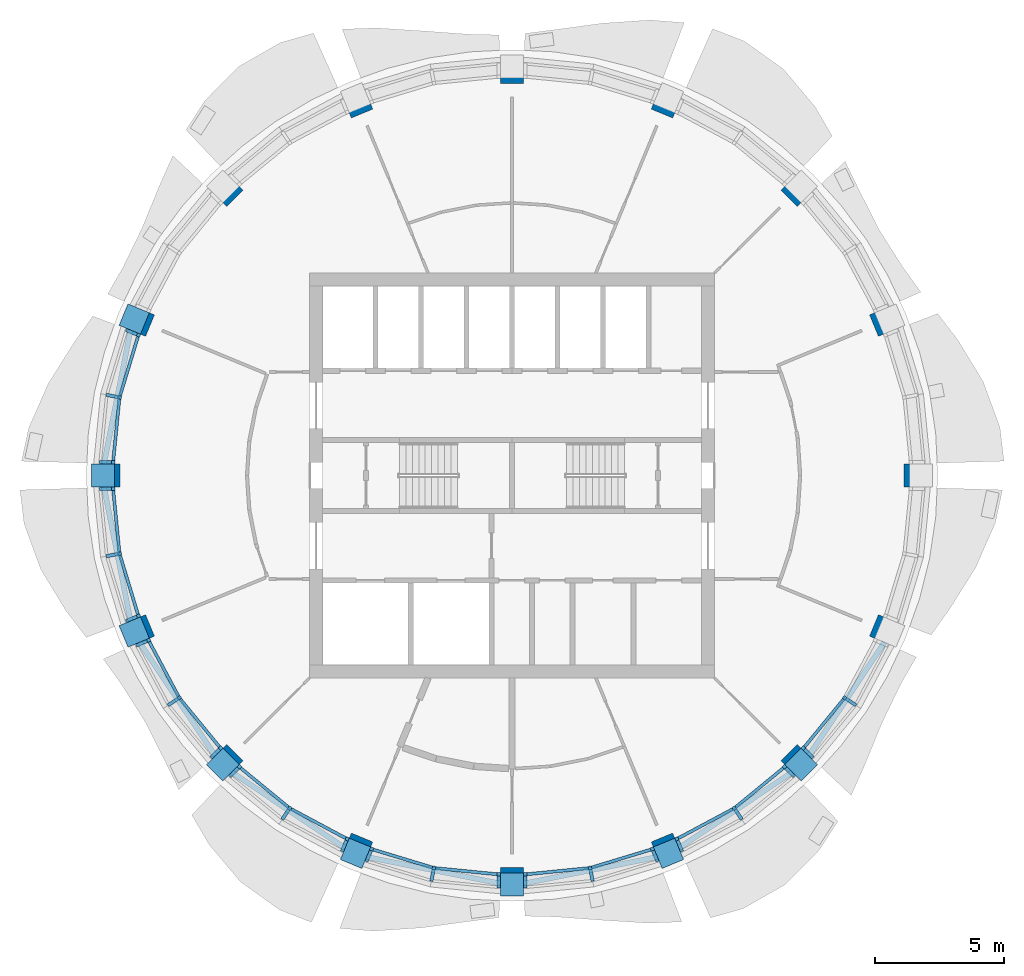
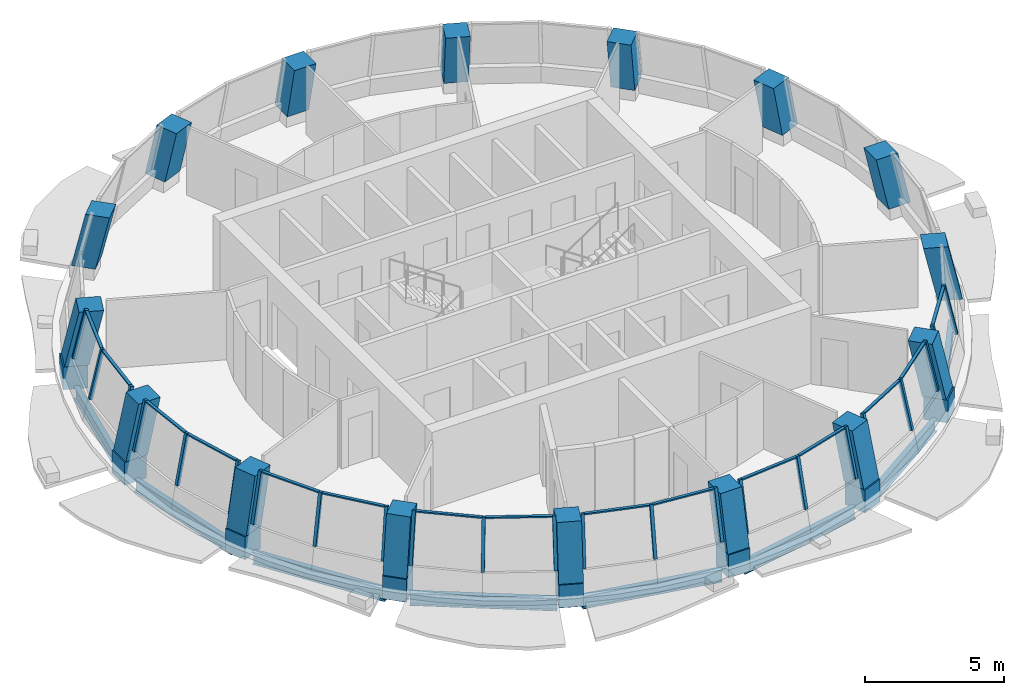
# One storey, part 1 of 11: 46 members, 16 columns, 8 beams, 8 elements without a shape of their own.
"""IFC4 building model written with IfcOpenShell, lengths in metres."""

from ifc_helpers import new_model, si_unit, direction, frame, origin, origin_2d, place, context, subcontext, project, spatial, rectangle, i_section, extrude, material, material_profile, profile_set, type_object, element, aggregate, save


model = new_model("IFC4")

# Units and contexts
model_context = context("Model", 3, precision=1e-05, world=origin(), true_north=direction((0.0, 1.0)))
body_context = subcontext(model_context, "Body", "Model", "MODEL_VIEW")
ifc_project = project(units=[si_unit("LENGTHUNIT", "METRE"), si_unit("AREAUNIT", "SQUARE_METRE"), si_unit("VOLUMEUNIT", "CUBIC_METRE"), si_unit("PLANEANGLEUNIT", "RADIAN"), si_unit("MASSUNIT", "GRAM", prefix="KILO")], contexts=[model_context])

# Site, building, storey
site_placement = place(None, origin())
site = spatial("IfcSite", under=ifc_project, at=site_placement, CompositionType="ELEMENT")
building_placement = place(site_placement, origin())
building = spatial("IfcBuilding", under=site, at=building_placement, Name="Polderwave Tower", CompositionType="ELEMENT")
storey_placement = place(building_placement, frame((0.0, 0.0, 214.449951171875)))
storey = spatial("IfcBuildingStorey", under=building, at=storey_placement, Name="L58", CompositionType="ELEMENT", Elevation=214.449951171875)

# Columns
ifc_material_1 = material(Name="Concrete C60/75", Category="concrete")
ifc_material_profile_1 = material_profile(ifc_material_1, rectangle(XDim=0.89990234375, YDim=0.89990234375, at=origin_2d()), Name="RC 900x900")
ifc_profile_set_1 = profile_set([ifc_material_profile_1], Name="Concrete C60/75")
column_type = type_object("IfcColumnType", Name="RC COLUMN 900x900 C60/75", PredefinedType="COLUMN", material=ifc_profile_set_1)
column_1_placement = place(storey_placement, frame((15.838134765625, 0.0, 0.5), z_axis=(0.0, 0.0, 1.0), x_axis=(0.0, -1.0, 0.0)))
element("IfcColumn", 1, at=column_1_placement, inside=storey, type_object=column_type, Name="Ring column 01", PredefinedType="COLUMN", context=body_context, shape_type="SweptSolid", body=[
    extrude(rectangle(XDim=0.89990234375, YDim=0.89990234375, at=origin_2d()), origin(), (0.0, -0.218465140573, 0.975844753203), 2.408203125),
])
column_2_placement = place(storey_placement, frame((14.632568359375, 6.06103515625, 0.5), z_axis=(0.0, 0.0, 1.0), x_axis=(0.382802560388, -0.92383017907, 0.0)))
element("IfcColumn", 2, at=column_2_placement, inside=storey, type_object=column_type, Name="Ring column 02", PredefinedType="COLUMN", context=body_context, shape_type="SweptSolid", body=[
    extrude(rectangle(XDim=0.89990234375, YDim=0.89990234375, at=origin_2d()), origin(), (0.0, -0.218480393317, 0.975841338403), 2.408203125),
])
column_3_placement = place(storey_placement, frame((11.19921875, 11.19921875, 0.5), z_axis=(0.0, 0.0, 1.0), x_axis=(0.707106781187, -0.707106781187, 0.0)))
element("IfcColumn", 3, at=column_3_placement, inside=storey, type_object=column_type, Name="Ring column 03", PredefinedType="COLUMN", context=body_context, shape_type="SweptSolid", body=[
    extrude(rectangle(XDim=0.89990234375, YDim=0.89990234375, at=origin_2d()), origin(), (0.0, -0.218490381939, 0.975839102004), 2.408203125),
])
column_4_placement = place(storey_placement, frame((6.06103515625, 14.632568359375, 0.5), z_axis=(0.0, 0.0, 1.0), x_axis=(0.92383017907, -0.382802560388, 0.0)))
element("IfcColumn", 4, at=column_4_placement, inside=storey, type_object=column_type, Name="Ring column 04", PredefinedType="COLUMN", context=body_context, shape_type="SweptSolid", body=[
    extrude(rectangle(XDim=0.89990234375, YDim=0.89990234375, at=origin_2d()), origin(), (0.0, -0.218480393317, 0.975841338403), 2.408203125),
])
column_5_placement = place(storey_placement, frame((0.0, 15.838134765625, 0.5), z_axis=(0.0, 0.0, 1.0), x_axis=(1.0, 0.0, 0.0)))
element("IfcColumn", 5, at=column_5_placement, inside=storey, type_object=column_type, Name="Ring column 05", PredefinedType="COLUMN", context=body_context, shape_type="SweptSolid", body=[
    extrude(rectangle(XDim=0.89990234375, YDim=0.89990234375, at=origin_2d()), origin(), (0.0, -0.218465140573, 0.975844753203), 2.408203125),
])
column_6_placement = place(storey_placement, frame((-6.06103515625, 14.632568359375, 0.5), z_axis=(0.0, 0.0, 1.0), x_axis=(0.92383017907, 0.382802560388, 0.0)))
element("IfcColumn", 6, at=column_6_placement, inside=storey, type_object=column_type, Name="Ring column 06", PredefinedType="COLUMN", context=body_context, shape_type="SweptSolid", body=[
    extrude(rectangle(XDim=0.89990234375, YDim=0.89990234375, at=origin_2d()), origin(), (0.0, -0.218480393317, 0.975841338403), 2.408203125),
])
column_7_placement = place(storey_placement, frame((-11.19921875, 11.19921875, 0.5), z_axis=(0.0, 0.0, 1.0), x_axis=(0.707106781187, 0.707106781187, 0.0)))
element("IfcColumn", 7, at=column_7_placement, inside=storey, type_object=column_type, Name="Ring column 07", PredefinedType="COLUMN", context=body_context, shape_type="SweptSolid", body=[
    extrude(rectangle(XDim=0.89990234375, YDim=0.89990234375, at=origin_2d()), origin(), (0.0, -0.218490381939, 0.975839102004), 2.408203125),
])
column_8_placement = place(storey_placement, frame((-14.632568359375, 6.06103515625, 0.5), z_axis=(0.0, 0.0, 1.0), x_axis=(0.382802560388, 0.92383017907, 0.0)))
element("IfcColumn", 8, at=column_8_placement, inside=storey, type_object=column_type, Name="Ring column 08", PredefinedType="COLUMN", context=body_context, shape_type="SweptSolid", body=[
    extrude(rectangle(XDim=0.89990234375, YDim=0.89990234375, at=origin_2d()), origin(), (0.0, -0.218480393317, 0.975841338403), 2.408203125),
])
column_9_placement = place(storey_placement, frame((-15.838134765625, 0.0, 0.5), z_axis=(0.0, 0.0, 1.0), x_axis=(0.0, 1.0, 0.0)))
element("IfcColumn", 9, at=column_9_placement, inside=storey, type_object=column_type, Name="Ring column 09", PredefinedType="COLUMN", context=body_context, shape_type="SweptSolid", body=[
    extrude(rectangle(XDim=0.89990234375, YDim=0.89990234375, at=origin_2d()), origin(), (0.0, -0.218465140573, 0.975844753203), 2.408203125),
])
column_10_placement = place(storey_placement, frame((-14.632568359375, -6.06103515625, 0.5), z_axis=(0.0, 0.0, 1.0), x_axis=(-0.382802560388, 0.92383017907, 0.0)))
element("IfcColumn", 10, at=column_10_placement, inside=storey, type_object=column_type, Name="Ring column 10", PredefinedType="COLUMN", context=body_context, shape_type="SweptSolid", body=[
    extrude(rectangle(XDim=0.89990234375, YDim=0.89990234375, at=origin_2d()), origin(), (0.0, -0.218480393317, 0.975841338403), 2.408203125),
])
column_11_placement = place(storey_placement, frame((-11.19921875, -11.19921875, 0.5), z_axis=(0.0, 0.0, 1.0), x_axis=(-0.707106781187, 0.707106781187, 0.0)))
element("IfcColumn", 11, at=column_11_placement, inside=storey, type_object=column_type, Name="Ring column 11", PredefinedType="COLUMN", context=body_context, shape_type="SweptSolid", body=[
    extrude(rectangle(XDim=0.89990234375, YDim=0.89990234375, at=origin_2d()), origin(), (0.0, -0.218490381939, 0.975839102004), 2.408203125),
])
column_12_placement = place(storey_placement, frame((-6.06103515625, -14.632568359375, 0.5), z_axis=(0.0, 0.0, 1.0), x_axis=(-0.92383017907, 0.382802560388, 0.0)))
element("IfcColumn", 12, at=column_12_placement, inside=storey, type_object=column_type, Name="Ring column 12", PredefinedType="COLUMN", context=body_context, shape_type="SweptSolid", body=[
    extrude(rectangle(XDim=0.89990234375, YDim=0.89990234375, at=origin_2d()), origin(), (0.0, -0.218480393317, 0.975841338403), 2.408203125),
])
column_13_placement = place(storey_placement, frame((0.0, -15.838134765625, 0.5), z_axis=(0.0, 0.0, 1.0), x_axis=(-1.0, 0.0, 0.0)))
element("IfcColumn", 13, at=column_13_placement, inside=storey, type_object=column_type, Name="Ring column 13", PredefinedType="COLUMN", context=body_context, shape_type="SweptSolid", body=[
    extrude(rectangle(XDim=0.89990234375, YDim=0.89990234375, at=origin_2d()), origin(), (0.0, -0.218465140573, 0.975844753203), 2.408203125),
])
column_14_placement = place(storey_placement, frame((6.06103515625, -14.632568359375, 0.5), z_axis=(0.0, 0.0, 1.0), x_axis=(-0.92383017907, -0.382802560388, 0.0)))
element("IfcColumn", 14, at=column_14_placement, inside=storey, type_object=column_type, Name="Ring column 14", PredefinedType="COLUMN", context=body_context, shape_type="SweptSolid", body=[
    extrude(rectangle(XDim=0.89990234375, YDim=0.89990234375, at=origin_2d()), origin(), (0.0, -0.218480393317, 0.975841338403), 2.408203125),
])
column_15_placement = place(storey_placement, frame((11.19921875, -11.19921875, 0.5), z_axis=(0.0, 0.0, 1.0), x_axis=(-0.707106781187, -0.707106781187, 0.0)))
element("IfcColumn", 15, at=column_15_placement, inside=storey, type_object=column_type, Name="Ring column 15", PredefinedType="COLUMN", context=body_context, shape_type="SweptSolid", body=[
    extrude(rectangle(XDim=0.89990234375, YDim=0.89990234375, at=origin_2d()), origin(), (0.0, -0.218490381939, 0.975839102004), 2.408203125),
])
column_16_placement = place(storey_placement, frame((14.632568359375, -6.06103515625, 0.5), z_axis=(0.0, 0.0, 1.0), x_axis=(-0.382802560388, -0.92383017907, 0.0)))
element("IfcColumn", 16, at=column_16_placement, inside=storey, type_object=column_type, Name="Ring column 16", PredefinedType="COLUMN", context=body_context, shape_type="SweptSolid", body=[
    extrude(rectangle(XDim=0.89990234375, YDim=0.89990234375, at=origin_2d()), origin(), (0.0, -0.218480393317, 0.975841338403), 2.408203125),
])

# Curtain wall, members
ifc_material_2 = material(Name="Aluminium 6063-T6 and glass", Category="aluminium")
curtain_wall_type = type_object("IfcCurtainWallType", Name="Office ribbon glazing, leaning storey wall", PredefinedType="NOTDEFINED", material=ifc_material_2)
curtain_wall_1_placement = place(storey_placement, origin())
curtain_wall_1 = element("IfcCurtainWall", 17, at=curtain_wall_1_placement, inside=storey, type_object=curtain_wall_type, Name="CW9 L58 07", PredefinedType="NOTDEFINED")
ifc_material_3 = material(Name="Aluminium 6063-T6", Category="aluminium")
ifc_material_profile_2 = material_profile(ifc_material_3, rectangle(XDim=0.1298828125, YDim=0.139892578125, at=origin_2d()), Name="AL 130x140")
ifc_profile_set_2 = profile_set([ifc_material_profile_2], Name="Aluminium 6063-T6")
member_type_1 = type_object("IfcMemberType", Name="Office ribbon glazing, leaning storey mullion 130x140", PredefinedType="MULLION", material=ifc_profile_set_2)
member_1_placement = place(storey_placement, frame((-14.9404296875, 5.631591796875, 0.900146484375), z_axis=(0.197075349133, -0.081783430188, 0.97697122645), x_axis=(0.383291989612, 0.923627224967, 0.0)))
member_1 = element("IfcMember", 18, at=member_1_placement, type_object=member_type_1, Name="CW9 mullion 1", PredefinedType="MULLION", context=body_context, shape_type="SweptSolid", body=[
    extrude(rectangle(XDim=0.1298828125, YDim=0.139892578125, at=origin_2d()), origin(), (0.0, 0.0, 1.0), 2.1494140625),
])
member_2_placement = place(storey_placement, frame((-15.701171875, 3.12353515625, 0.900146484375), z_axis=(0.20944780442, -0.041685110749, 0.976930892523), x_axis=(0.195195508177, 0.980764351711, 0.0)))
member_2 = element("IfcMember", 19, at=member_2_placement, type_object=member_type_1, Name="CW9 mullion 2", PredefinedType="MULLION", context=body_context, shape_type="SweptSolid", body=[
    extrude(rectangle(XDim=0.1298828125, YDim=0.139892578125, at=origin_2d()), origin(), (0.0, 0.0, 1.0), 2.1494140625),
])
member_3_placement = place(storey_placement, frame((-15.9580078125, 0.5146484375, 0.900146484375), z_axis=(0.213320842981, 0.0, 0.976982199403), x_axis=(0.0, 1.0, 0.0)))
member_3 = element("IfcMember", 20, at=member_3_placement, type_object=member_type_1, Name="CW9 mullion 3", PredefinedType="MULLION", context=body_context, shape_type="SweptSolid", body=[
    extrude(rectangle(XDim=0.1298828125, YDim=0.139892578125, at=origin_2d()), origin(), (0.0, 0.0, 1.0), 2.1494140625),
])

curtain_wall_2_placement = place(storey_placement, origin())
curtain_wall_2 = element("IfcCurtainWall", 21, at=curtain_wall_2_placement, inside=storey, type_object=curtain_wall_type, Name="CW9 L58 08", PredefinedType="NOTDEFINED")
member_4_placement = place(storey_placement, frame((-15.9580078125, -0.5146484375, 0.900146484375), z_axis=(0.213320842981, 0.0, 0.976982199403), x_axis=(0.0, 1.0, 0.0)))
member_4 = element("IfcMember", 22, at=member_4_placement, type_object=member_type_1, Name="CW9 mullion 1", PredefinedType="MULLION", context=body_context, shape_type="SweptSolid", body=[
    extrude(rectangle(XDim=0.1298828125, YDim=0.139892578125, at=origin_2d()), origin(), (0.0, 0.0, 1.0), 2.1494140625),
])
member_5_placement = place(storey_placement, frame((-15.701171875, -3.12353515625, 0.900146484375), z_axis=(0.20944780442, 0.041685110749, 0.976930892523), x_axis=(-0.195195508177, 0.980764351711, 0.0)))
member_5 = element("IfcMember", 23, at=member_5_placement, type_object=member_type_1, Name="CW9 mullion 2", PredefinedType="MULLION", context=body_context, shape_type="SweptSolid", body=[
    extrude(rectangle(XDim=0.1298828125, YDim=0.139892578125, at=origin_2d()), origin(), (0.0, 0.0, 1.0), 2.1494140625),
])
member_6_placement = place(storey_placement, frame((-14.9404296875, -5.631591796875, 0.900146484375), z_axis=(0.197075349133, 0.081783430188, 0.97697122645), x_axis=(-0.383291989612, 0.923627224967, 0.0)))
member_6 = element("IfcMember", 24, at=member_6_placement, type_object=member_type_1, Name="CW9 mullion 3", PredefinedType="MULLION", context=body_context, shape_type="SweptSolid", body=[
    extrude(rectangle(XDim=0.1298828125, YDim=0.139892578125, at=origin_2d()), origin(), (0.0, 0.0, 1.0), 2.1494140625),
])

curtain_wall_3_placement = place(storey_placement, origin())
curtain_wall_3 = element("IfcCurtainWall", 25, at=curtain_wall_3_placement, inside=storey, type_object=curtain_wall_type, Name="CW9 L58 09", PredefinedType="NOTDEFINED")
member_7_placement = place(storey_placement, frame((-14.54638671875, -6.582275390625, 0.900146484375), z_axis=(0.197299174068, 0.08144128256, 0.976954632215), x_axis=(-0.381552612163, 0.924347123191, 0.0)))
member_7 = element("IfcMember", 26, at=member_7_placement, type_object=member_type_1, Name="CW9 mullion 1", PredefinedType="MULLION", context=body_context, shape_type="SweptSolid", body=[
    extrude(rectangle(XDim=0.1298828125, YDim=0.139892578125, at=origin_2d()), origin(), (0.0, 0.0, 1.0), 2.1494140625),
])
member_8_placement = place(storey_placement, frame((-13.310546875, -8.893798828125, 0.900146484375), z_axis=(0.177533294592, 0.118582699651, 0.976944252583), x_axis=(-0.555436632186, 0.831558866002, 0.0)))
member_8 = element("IfcMember", 27, at=member_8_placement, type_object=member_type_1, Name="CW9 mullion 2", PredefinedType="MULLION", context=body_context, shape_type="SweptSolid", body=[
    extrude(rectangle(XDim=0.1298828125, YDim=0.139892578125, at=origin_2d()), origin(), (0.0, 0.0, 1.0), 2.1494140625),
])
member_9_placement = place(storey_placement, frame((-11.64794921875, -10.919921875, 0.900146484375), z_axis=(0.151068408866, 0.150841238326, 0.976946905754), x_axis=(-0.706574521886, 0.707638640142, 0.0)))
member_9 = element("IfcMember", 28, at=member_9_placement, type_object=member_type_1, Name="CW9 mullion 3", PredefinedType="MULLION", context=body_context, shape_type="SweptSolid", body=[
    extrude(rectangle(XDim=0.1298828125, YDim=0.139892578125, at=origin_2d()), origin(), (0.0, 0.0, 1.0), 2.1494140625),
])

curtain_wall_4_placement = place(storey_placement, origin())
curtain_wall_4 = element("IfcCurtainWall", 29, at=curtain_wall_4_placement, inside=storey, type_object=curtain_wall_type, Name="CW9 L58 10", PredefinedType="NOTDEFINED")
member_10_placement = place(storey_placement, frame((-10.919921875, -11.64794921875, 0.900146484375), z_axis=(0.150841238326, 0.151068408866, 0.976946905754), x_axis=(-0.707638640142, 0.706574521886, 0.0)))
member_10 = element("IfcMember", 30, at=member_10_placement, type_object=member_type_1, Name="CW9 mullion 1", PredefinedType="MULLION", context=body_context, shape_type="SweptSolid", body=[
    extrude(rectangle(XDim=0.1298828125, YDim=0.139892578125, at=origin_2d()), origin(), (0.0, 0.0, 1.0), 2.1494140625),
])
member_11_placement = place(storey_placement, frame((-8.893798828125, -13.310546875, 0.900146484375), z_axis=(0.118582699651, 0.177533294592, 0.976944252583), x_axis=(-0.831558866002, 0.555436632186, 0.0)))
member_11 = element("IfcMember", 31, at=member_11_placement, type_object=member_type_1, Name="CW9 mullion 2", PredefinedType="MULLION", context=body_context, shape_type="SweptSolid", body=[
    extrude(rectangle(XDim=0.1298828125, YDim=0.139892578125, at=origin_2d()), origin(), (0.0, 0.0, 1.0), 2.1494140625),
])
member_12_placement = place(storey_placement, frame((-6.582275390625, -14.54638671875, 0.900146484375), z_axis=(0.08144128256, 0.197299174068, 0.976954632215), x_axis=(-0.924347123191, 0.381552612163, 0.0)))
member_12 = element("IfcMember", 32, at=member_12_placement, type_object=member_type_1, Name="CW9 mullion 3", PredefinedType="MULLION", context=body_context, shape_type="SweptSolid", body=[
    extrude(rectangle(XDim=0.1298828125, YDim=0.139892578125, at=origin_2d()), origin(), (0.0, 0.0, 1.0), 2.1494140625),
])

curtain_wall_5_placement = place(storey_placement, origin())
curtain_wall_5 = element("IfcCurtainWall", 33, at=curtain_wall_5_placement, inside=storey, type_object=curtain_wall_type, Name="CW9 L58 11", PredefinedType="NOTDEFINED")
member_13_placement = place(storey_placement, frame((-5.631591796875, -14.9404296875, 0.900146484375), z_axis=(0.081783430188, 0.197075349133, 0.97697122645), x_axis=(-0.923627224967, 0.383291989612, 0.0)))
member_13 = element("IfcMember", 34, at=member_13_placement, type_object=member_type_1, Name="CW9 mullion 1", PredefinedType="MULLION", context=body_context, shape_type="SweptSolid", body=[
    extrude(rectangle(XDim=0.1298828125, YDim=0.139892578125, at=origin_2d()), origin(), (0.0, 0.0, 1.0), 2.1494140625),
])
member_14_placement = place(storey_placement, frame((-3.12353515625, -15.701171875, 0.900146484375), z_axis=(0.041685110749, 0.20944780442, 0.976930892523), x_axis=(-0.980764351711, 0.195195508177, 0.0)))
member_14 = element("IfcMember", 35, at=member_14_placement, type_object=member_type_1, Name="CW9 mullion 2", PredefinedType="MULLION", context=body_context, shape_type="SweptSolid", body=[
    extrude(rectangle(XDim=0.1298828125, YDim=0.139892578125, at=origin_2d()), origin(), (0.0, 0.0, 1.0), 2.1494140625),
])
member_15_placement = place(storey_placement, frame((-0.5146484375, -15.9580078125, 0.900146484375), z_axis=(0.0, 0.213320842981, 0.976982199403), x_axis=(-1.0, 0.0, 0.0)))
member_15 = element("IfcMember", 36, at=member_15_placement, type_object=member_type_1, Name="CW9 mullion 3", PredefinedType="MULLION", context=body_context, shape_type="SweptSolid", body=[
    extrude(rectangle(XDim=0.1298828125, YDim=0.139892578125, at=origin_2d()), origin(), (0.0, 0.0, 1.0), 2.1494140625),
])

curtain_wall_6_placement = place(storey_placement, origin())
curtain_wall_6 = element("IfcCurtainWall", 37, at=curtain_wall_6_placement, inside=storey, type_object=curtain_wall_type, Name="CW9 L58 12", PredefinedType="NOTDEFINED")
member_16_placement = place(storey_placement, frame((0.5146484375, -15.9580078125, 0.900146484375), z_axis=(0.0, 0.213320842981, 0.976982199403), x_axis=(-1.0, 0.0, 0.0)))
member_16 = element("IfcMember", 38, at=member_16_placement, type_object=member_type_1, Name="CW9 mullion 1", PredefinedType="MULLION", context=body_context, shape_type="SweptSolid", body=[
    extrude(rectangle(XDim=0.1298828125, YDim=0.139892578125, at=origin_2d()), origin(), (0.0, 0.0, 1.0), 2.1494140625),
])
member_17_placement = place(storey_placement, frame((3.12353515625, -15.701171875, 0.900146484375), z_axis=(-0.041685110749, 0.20944780442, 0.976930892523), x_axis=(-0.980764351711, -0.195195508177, 0.0)))
member_17 = element("IfcMember", 39, at=member_17_placement, type_object=member_type_1, Name="CW9 mullion 2", PredefinedType="MULLION", context=body_context, shape_type="SweptSolid", body=[
    extrude(rectangle(XDim=0.1298828125, YDim=0.139892578125, at=origin_2d()), origin(), (0.0, 0.0, 1.0), 2.1494140625),
])
member_18_placement = place(storey_placement, frame((5.631591796875, -14.9404296875, 0.900146484375), z_axis=(-0.081783430188, 0.197075349133, 0.97697122645), x_axis=(-0.923627224967, -0.383291989612, 0.0)))
member_18 = element("IfcMember", 40, at=member_18_placement, type_object=member_type_1, Name="CW9 mullion 3", PredefinedType="MULLION", context=body_context, shape_type="SweptSolid", body=[
    extrude(rectangle(XDim=0.1298828125, YDim=0.139892578125, at=origin_2d()), origin(), (0.0, 0.0, 1.0), 2.1494140625),
])

curtain_wall_7_placement = place(storey_placement, origin())
curtain_wall_7 = element("IfcCurtainWall", 41, at=curtain_wall_7_placement, inside=storey, type_object=curtain_wall_type, Name="CW9 L58 13", PredefinedType="NOTDEFINED")
member_19_placement = place(storey_placement, frame((6.582275390625, -14.54638671875, 0.900146484375), z_axis=(-0.08144128256, 0.197299174068, 0.976954632215), x_axis=(-0.924347123191, -0.381552612163, 0.0)))
member_19 = element("IfcMember", 42, at=member_19_placement, type_object=member_type_1, Name="CW9 mullion 1", PredefinedType="MULLION", context=body_context, shape_type="SweptSolid", body=[
    extrude(rectangle(XDim=0.1298828125, YDim=0.139892578125, at=origin_2d()), origin(), (0.0, 0.0, 1.0), 2.1494140625),
])
member_20_placement = place(storey_placement, frame((8.893798828125, -13.310546875, 0.900146484375), z_axis=(-0.118582699651, 0.177533294592, 0.976944252583), x_axis=(-0.831558866002, -0.555436632186, 0.0)))
member_20 = element("IfcMember", 43, at=member_20_placement, type_object=member_type_1, Name="CW9 mullion 2", PredefinedType="MULLION", context=body_context, shape_type="SweptSolid", body=[
    extrude(rectangle(XDim=0.1298828125, YDim=0.139892578125, at=origin_2d()), origin(), (0.0, 0.0, 1.0), 2.1494140625),
])
member_21_placement = place(storey_placement, frame((10.919921875, -11.64794921875, 0.900146484375), z_axis=(-0.150841238326, 0.151068408866, 0.976946905754), x_axis=(-0.707638640142, -0.706574521886, 0.0)))
member_21 = element("IfcMember", 44, at=member_21_placement, type_object=member_type_1, Name="CW9 mullion 3", PredefinedType="MULLION", context=body_context, shape_type="SweptSolid", body=[
    extrude(rectangle(XDim=0.1298828125, YDim=0.139892578125, at=origin_2d()), origin(), (0.0, 0.0, 1.0), 2.1494140625),
])

curtain_wall_8_placement = place(storey_placement, origin())
curtain_wall_8 = element("IfcCurtainWall", 45, at=curtain_wall_8_placement, inside=storey, type_object=curtain_wall_type, Name="CW9 L58 14", PredefinedType="NOTDEFINED")
member_22_placement = place(storey_placement, frame((11.64794921875, -10.919921875, 0.900146484375), z_axis=(-0.151068408866, 0.150841238326, 0.976946905754), x_axis=(-0.706574521886, -0.707638640142, 0.0)))
member_22 = element("IfcMember", 46, at=member_22_placement, type_object=member_type_1, Name="CW9 mullion 1", PredefinedType="MULLION", context=body_context, shape_type="SweptSolid", body=[
    extrude(rectangle(XDim=0.1298828125, YDim=0.139892578125, at=origin_2d()), origin(), (0.0, 0.0, 1.0), 2.1494140625),
])
member_23_placement = place(storey_placement, frame((13.310546875, -8.893798828125, 0.900146484375), z_axis=(-0.177533294592, 0.118582699651, 0.976944252583), x_axis=(-0.555436632186, -0.831558866002, 0.0)))
member_23 = element("IfcMember", 47, at=member_23_placement, type_object=member_type_1, Name="CW9 mullion 2", PredefinedType="MULLION", context=body_context, shape_type="SweptSolid", body=[
    extrude(rectangle(XDim=0.1298828125, YDim=0.139892578125, at=origin_2d()), origin(), (0.0, 0.0, 1.0), 2.1494140625),
])

# Member
ifc_material_profile_3 = material_profile(ifc_material_3, rectangle(XDim=0.1201171875, YDim=0.06005859375, at=origin_2d()), Name="AL 60x120")
ifc_profile_set_3 = profile_set([ifc_material_profile_3], Name="Aluminium 6063-T6")
member_type_2 = type_object("IfcMemberType", Name="Office ribbon glazing, leaning storey transom 60x120", PredefinedType="USERDEFINED", material=ifc_profile_set_3)
member_24_placement = place(storey_placement, frame((-14.541748046875, 5.39599609375, 2.969970703125), z_axis=(-0.290097669998, -0.95699704381, 0.0), x_axis=(0.95699704381, -0.290097669998, 0.0)))
member_24 = element("IfcMember", 48, at=member_24_placement, type_object=member_type_2, Name="CW9 transom 1", ObjectType="TRANSOM", PredefinedType="USERDEFINED", context=body_context, shape_type="SweptSolid", body=[
    extrude(rectangle(XDim=0.1201171875, YDim=0.06005859375, at=origin_2d()), origin(), (0.0, 0.0, 1.0), 2.40185546875),
])

member_25_placement = place(storey_placement, frame((-15.263916015625, 2.970703125, 2.969970703125), z_axis=(-0.098145606459, -0.995172065491, 0.0), x_axis=(0.995172065491, -0.098145606459, 0.0)))
member_25 = element("IfcMember", 49, at=member_25_placement, type_object=member_type_2, Name="CW9 transom 2", ObjectType="TRANSOM", PredefinedType="USERDEFINED", context=body_context, shape_type="SweptSolid", body=[
    extrude(rectangle(XDim=0.1201171875, YDim=0.06005859375, at=origin_2d()), origin(), (0.0, 0.0, 1.0), 2.403076171875),
])

aggregate(curtain_wall_1, [member_1, member_2, member_3, member_24, member_25])

member_26_placement = place(storey_placement, frame((-15.499755859375, -0.579345703125, 2.969970703125), z_axis=(0.098145606459, -0.995172065491, 0.0), x_axis=(0.995172065491, 0.098145606459, 0.0)))
member_26 = element("IfcMember", 50, at=member_26_placement, type_object=member_type_2, Name="CW9 transom 1", ObjectType="TRANSOM", PredefinedType="USERDEFINED", context=body_context, shape_type="SweptSolid", body=[
    extrude(rectangle(XDim=0.1201171875, YDim=0.06005859375, at=origin_2d()), origin(), (0.0, 0.0, 1.0), 2.403076171875),
])

member_27_placement = place(storey_placement, frame((-15.238525390625, -3.097412109375, 2.969970703125), z_axis=(0.290097669998, -0.95699704381, 0.0), x_axis=(0.95699704381, 0.290097669998, 0.0)))
member_27 = element("IfcMember", 51, at=member_27_placement, type_object=member_type_2, Name="CW9 transom 2", ObjectType="TRANSOM", PredefinedType="USERDEFINED", context=body_context, shape_type="SweptSolid", body=[
    extrude(rectangle(XDim=0.1201171875, YDim=0.06005859375, at=origin_2d()), origin(), (0.0, 0.0, 1.0), 2.40185546875),
])

aggregate(curtain_wall_2, [member_4, member_5, member_6, member_26, member_27])

member_28_placement = place(storey_placement, frame((-14.097900390625, -6.467041015625, 2.969970703125), z_axis=(0.471600789368, -0.881812165638, 0.0), x_axis=(0.881812165638, 0.471600789368, 0.0)))
member_28 = element("IfcMember", 52, at=member_28_placement, type_object=member_type_2, Name="CW9 transom 1", ObjectType="TRANSOM", PredefinedType="USERDEFINED", context=body_context, shape_type="SweptSolid", body=[
    extrude(rectangle(XDim=0.1201171875, YDim=0.06005859375, at=origin_2d()), origin(), (0.0, 0.0, 1.0), 2.402099609375),
])

member_29_placement = place(storey_placement, frame((-12.893310546875, -8.69287109375, 2.969970703125), z_axis=(0.634399139982, -0.77300564758, 0.0), x_axis=(0.77300564758, 0.634399139982, 0.0)))
member_29 = element("IfcMember", 53, at=member_29_placement, type_object=member_type_2, Name="CW9 transom 2", ObjectType="TRANSOM", PredefinedType="USERDEFINED", context=body_context, shape_type="SweptSolid", body=[
    extrude(rectangle(XDim=0.1201171875, YDim=0.06005859375, at=origin_2d()), origin(), (0.0, 0.0, 1.0), 2.402587890625),
])

aggregate(curtain_wall_3, [member_7, member_8, member_9, member_28, member_29])

member_30_placement = place(storey_placement, frame((-10.550048828125, -11.369140625, 2.969970703125), z_axis=(0.77300564758, -0.634399139982, 0.0), x_axis=(0.634399139982, 0.77300564758, 0.0)))
member_30 = element("IfcMember", 54, at=member_30_placement, type_object=member_type_2, Name="CW9 transom 1", ObjectType="TRANSOM", PredefinedType="USERDEFINED", context=body_context, shape_type="SweptSolid", body=[
    extrude(rectangle(XDim=0.1201171875, YDim=0.06005859375, at=origin_2d()), origin(), (0.0, 0.0, 1.0), 2.402587890625),
])

member_31_placement = place(storey_placement, frame((-8.585205078125, -12.965087890625, 2.969970703125), z_axis=(0.881812165638, -0.471600789368, 0.0), x_axis=(0.471600789368, 0.881812165638, 0.0)))
member_31 = element("IfcMember", 55, at=member_31_placement, type_object=member_type_2, Name="CW9 transom 2", ObjectType="TRANSOM", PredefinedType="USERDEFINED", context=body_context, shape_type="SweptSolid", body=[
    extrude(rectangle(XDim=0.1201171875, YDim=0.06005859375, at=origin_2d()), origin(), (0.0, 0.0, 1.0), 2.402099609375),
])

aggregate(curtain_wall_4, [member_10, member_11, member_12, member_30, member_31])

member_32_placement = place(storey_placement, frame((-5.39599609375, -14.541748046875, 2.969970703125), z_axis=(0.95699704381, -0.290097669998, 0.0), x_axis=(0.290097669998, 0.95699704381, 0.0)))
member_32 = element("IfcMember", 56, at=member_32_placement, type_object=member_type_2, Name="CW9 transom 1", ObjectType="TRANSOM", PredefinedType="USERDEFINED", context=body_context, shape_type="SweptSolid", body=[
    extrude(rectangle(XDim=0.1201171875, YDim=0.06005859375, at=origin_2d()), origin(), (0.0, 0.0, 1.0), 2.40185546875),
])

member_33_placement = place(storey_placement, frame((-2.970703125, -15.263916015625, 2.969970703125), z_axis=(0.995172065491, -0.098145606459, 0.0), x_axis=(0.098145606459, 0.995172065491, 0.0)))
member_33 = element("IfcMember", 57, at=member_33_placement, type_object=member_type_2, Name="CW9 transom 2", ObjectType="TRANSOM", PredefinedType="USERDEFINED", context=body_context, shape_type="SweptSolid", body=[
    extrude(rectangle(XDim=0.1201171875, YDim=0.06005859375, at=origin_2d()), origin(), (0.0, 0.0, 1.0), 2.403076171875),
])

aggregate(curtain_wall_5, [member_13, member_14, member_15, member_32, member_33])

member_34_placement = place(storey_placement, frame((0.579345703125, -15.499755859375, 2.969970703125), z_axis=(0.995172065491, 0.098145606459, 0.0), x_axis=(-0.098145606459, 0.995172065491, 0.0)))
member_34 = element("IfcMember", 58, at=member_34_placement, type_object=member_type_2, Name="CW9 transom 1", ObjectType="TRANSOM", PredefinedType="USERDEFINED", context=body_context, shape_type="SweptSolid", body=[
    extrude(rectangle(XDim=0.1201171875, YDim=0.06005859375, at=origin_2d()), origin(), (0.0, 0.0, 1.0), 2.403076171875),
])

member_35_placement = place(storey_placement, frame((3.097412109375, -15.238525390625, 2.969970703125), z_axis=(0.95699704381, 0.290097669998, 0.0), x_axis=(-0.290097669998, 0.95699704381, 0.0)))
member_35 = element("IfcMember", 59, at=member_35_placement, type_object=member_type_2, Name="CW9 transom 2", ObjectType="TRANSOM", PredefinedType="USERDEFINED", context=body_context, shape_type="SweptSolid", body=[
    extrude(rectangle(XDim=0.1201171875, YDim=0.06005859375, at=origin_2d()), origin(), (0.0, 0.0, 1.0), 2.40185546875),
])

aggregate(curtain_wall_6, [member_16, member_17, member_18, member_34, member_35])

member_36_placement = place(storey_placement, frame((6.467041015625, -14.097900390625, 2.969970703125), z_axis=(0.881812165638, 0.471600789368, 0.0), x_axis=(-0.471600789368, 0.881812165638, 0.0)))
member_36 = element("IfcMember", 60, at=member_36_placement, type_object=member_type_2, Name="CW9 transom 1", ObjectType="TRANSOM", PredefinedType="USERDEFINED", context=body_context, shape_type="SweptSolid", body=[
    extrude(rectangle(XDim=0.1201171875, YDim=0.06005859375, at=origin_2d()), origin(), (0.0, 0.0, 1.0), 2.402099609375),
])

member_37_placement = place(storey_placement, frame((8.69287109375, -12.893310546875, 2.969970703125), z_axis=(0.77300564758, 0.634399139982, 0.0), x_axis=(-0.634399139982, 0.77300564758, 0.0)))
member_37 = element("IfcMember", 61, at=member_37_placement, type_object=member_type_2, Name="CW9 transom 2", ObjectType="TRANSOM", PredefinedType="USERDEFINED", context=body_context, shape_type="SweptSolid", body=[
    extrude(rectangle(XDim=0.1201171875, YDim=0.06005859375, at=origin_2d()), origin(), (0.0, 0.0, 1.0), 2.402587890625),
])

aggregate(curtain_wall_7, [member_19, member_20, member_21, member_36, member_37])

member_38_placement = place(storey_placement, frame((11.369140625, -10.550048828125, 2.969970703125), z_axis=(0.634399139982, 0.77300564758, 0.0), x_axis=(-0.77300564758, 0.634399139982, 0.0)))
member_38 = element("IfcMember", 62, at=member_38_placement, type_object=member_type_2, Name="CW9 transom 1", ObjectType="TRANSOM", PredefinedType="USERDEFINED", context=body_context, shape_type="SweptSolid", body=[
    extrude(rectangle(XDim=0.1201171875, YDim=0.06005859375, at=origin_2d()), origin(), (0.0, 0.0, 1.0), 2.402587890625),
])

aggregate(curtain_wall_8, [member_22, member_23, member_38])

# Members
ifc_material_profile_4 = material_profile(ifc_material_1, rectangle(XDim=0.89990234375, YDim=0.89990234375, at=origin_2d()), Name="RC 900x900")
ifc_profile_set_4 = profile_set([ifc_material_profile_4], Name="Concrete C60/75")
member_type_3 = type_object("IfcMemberType", Name="RC NODE 900x900 C60/75", PredefinedType="POST", material=ifc_profile_set_4)
for number, where, z_axis, x_axis, name in (
    (63, (-14.68408203125, 6.082275390625, -0.5), (0.0, 0.0, 1.0), (-0.923879532511, 0.382683432365, 0.0), "Ring column node 08"),
    (64, (-15.89404296875, 0.0, -0.5), (0.0, 0.0, 1.0), (-1.0, 0.0, 0.0), "Ring column node 09"),
    (65, (-14.68408203125, -6.082275390625, -0.5), (0.0, 0.0, 1.0), (-0.923879532511, -0.382683432365, 0.0), "Ring column node 10"),
    (66, (-11.23876953125, -11.23876953125, -0.5), (0.0, 0.0, 1.0), (-0.707106781187, -0.707106781187, 0.0), "Ring column node 11"),
    (67, (-6.082275390625, -14.68408203125, -0.5), (0.0, 0.0, 1.0), (-0.382683432365, -0.923879532511, 0.0), "Ring column node 12"),
    (68, (0.0, -15.89404296875, -0.5), (0.0, 0.0, 1.0), (0.0, -1.0, 0.0), "Ring column node 13"),
    (69, (6.082275390625, -14.68408203125, -0.5), (0.0, 0.0, 1.0), (0.382683432365, -0.923879532511, 0.0), "Ring column node 14"),
    (70, (11.23876953125, -11.23876953125, -0.5), (0.0, 0.0, 1.0), (0.707106781187, -0.707106781187, 0.0), "Ring column node 15"),
):
    element("IfcMember", number, at=place(storey_placement, frame(where, z_axis=z_axis, x_axis=x_axis)), inside=storey, type_object=member_type_3, Name=name, PredefinedType="POST", context=body_context, shape_type="SweptSolid", body=[
        extrude(rectangle(XDim=0.89990234375, YDim=0.89990234375, at=origin_2d()), origin(), (0.0, 0.0, 1.0), 1.0),
    ])

# Beams
ifc_material_4 = material(Name="Steel S355", Category="steel")
ifc_material_profile_5 = material_profile(ifc_material_4, i_section(OverallWidth=0.2099609375, OverallDepth=0.550048828125, WebThickness=0.010986328125, FlangeThickness=0.01708984375, at=origin_2d()), Name="IPE 550")
ifc_profile_set_5 = profile_set([ifc_material_profile_5], Name="Steel S355")
beam_type = type_object("IfcBeamType", Name="RING BEAM IPE 550", PredefinedType="BEAM", material=ifc_profile_set_5)
for number, where, z_axis, x_axis, name in (
    (71, (-14.825439453125, 5.65380859375, -0.625), (-0.195098417144, -0.980783670147, 0.0), (0.980783670147, -0.195098417144, 0.0), "ST-RB-L58-07"),
    (72, (-15.860595703125, -0.449951171875, -0.625), (0.195098417144, -0.980783670147, 0.0), (0.980783670147, 0.195098417144, 0.0), "ST-RB-L58-08"),
    (73, (-14.48095703125, -6.4853515625, -0.625), (0.555570615162, -0.831469356963, 0.0), (0.831469356963, 0.555570615162, 0.0), "ST-RB-L58-09"),
    (74, (-10.89697265625, -11.533203125, -0.625), (0.831469356963, -0.555570615162, 0.0), (0.555570615162, 0.831469356963, 0.0), "ST-RB-L58-10"),
    (75, (-5.65380859375, -14.825439453125, -0.625), (0.980783670147, -0.195098417144, 0.0), (0.195098417144, 0.980783670147, 0.0), "ST-RB-L58-11"),
    (76, (0.449951171875, -15.860595703125, -0.625), (0.980783670147, 0.195098417144, 0.0), (-0.195098417144, 0.980783670147, 0.0), "ST-RB-L58-12"),
    (77, (6.4853515625, -14.48095703125, -0.625), (0.831469356963, 0.555570615162, 0.0), (-0.555570615162, 0.831469356963, 0.0), "ST-RB-L58-13"),
    (78, (11.533203125, -10.89697265625, -0.625), (0.555570615162, 0.831469356963, 0.0), (-0.831469356963, 0.555570615162, 0.0), "ST-RB-L58-14"),
):
    element("IfcBeam", number, at=place(storey_placement, frame(where, z_axis=z_axis, x_axis=x_axis)), inside=storey, type_object=beam_type, Name=name, PredefinedType="BEAM", context=body_context, shape_type="SweptSolid", body=[
        extrude(i_section(OverallWidth=0.2099609375, OverallDepth=0.550048828125, WebThickness=0.010986328125, FlangeThickness=0.01708984375, at=origin_2d()), origin(), (0.0, 0.0, 1.0), 5.305908203125),
    ])

save(model, "model.ifc")
